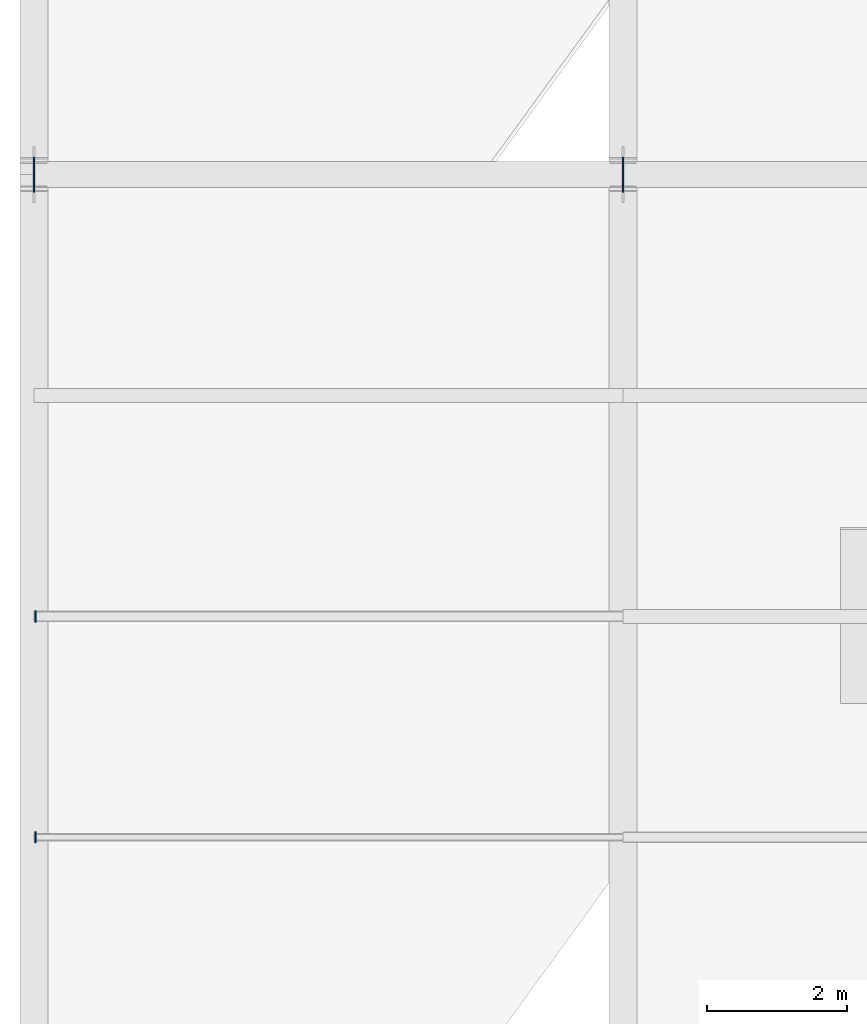
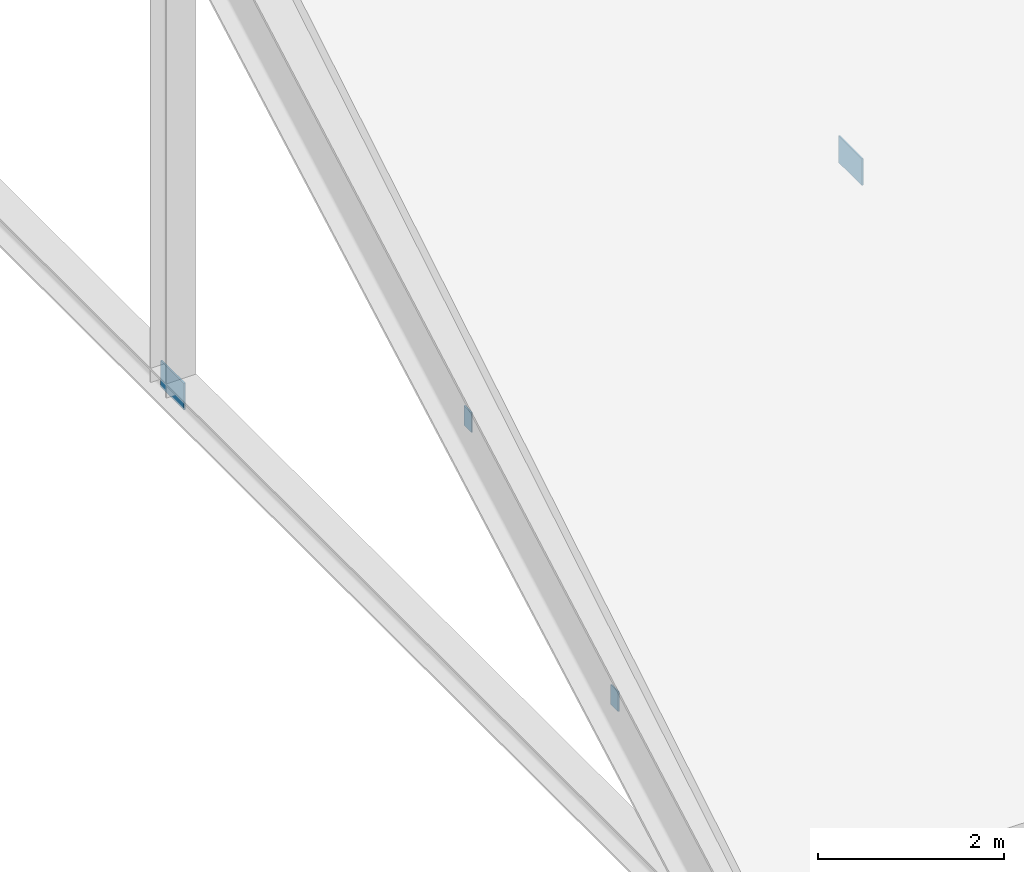
# One storey, part 7 of 13: 4 plates.
"""IFC4 building model written with IfcOpenShell, lengths in metres."""

from ifc_helpers import new_model, si_unit, direction, frame, origin, origin_2d, place, context, subcontext, project, spatial, rectangle, extrude, material, layer, layer_set, type_object, element, save


model = new_model("IFC4")

# Units and contexts
model_context = context("Model", 3, precision=1e-05, world=origin(), true_north=direction((0.0, 1.0)))
body_context = subcontext(model_context, "Body", "Model", "MODEL_VIEW")
ifc_project = project(units=[si_unit("LENGTHUNIT", "METRE"), si_unit("AREAUNIT", "SQUARE_METRE"), si_unit("VOLUMEUNIT", "CUBIC_METRE"), si_unit("PLANEANGLEUNIT", "RADIAN"), si_unit("MASSUNIT", "GRAM", prefix="KILO")], contexts=[model_context])

# Site, building, storey
site_placement = place(None, origin())
site = spatial("IfcSite", under=ifc_project, at=site_placement, CompositionType="ELEMENT")
building_placement = place(site_placement, origin())
building = spatial("IfcBuilding", under=site, at=building_placement, Name="Calvrana Isthmian Art Gallery", CompositionType="ELEMENT")
storey_placement = place(building_placement, frame((0.0, 0.0, 29.39990234375)))
storey = spatial("IfcBuildingStorey", under=building, at=storey_placement, Name="RF", CompositionType="ELEMENT", Elevation=29.39990234375)

# Plates
ifc_material = material(Name="Steel ASTM A572 Gr 50", Category="steel")
ifc_layer_1 = layer(ifc_material, 0.01611328125, Name="Steel ASTM A572 Gr 50")
ifc_layer_set_1 = layer_set([ifc_layer_1], Name="Steel ASTM A572 Gr 50")
plate_type_1 = type_object("IfcPlateType", Name="PL-CAP-16", PredefinedType="SHEET", material=ifc_layer_set_1)
for number, where, z_axis, x_axis, name in (
    (1, (21.6201171875, 24.75, 0.734375), (0.0, 0.0, 1.0), (1.0, 0.0, 0.0), "HSS purlin end cap S-1-1"),
    (2, (21.6201171875, 27.89990234375, 2.4794921875), (0.0, 0.0, 1.0), (1.0, 0.0, 0.0), "HSS purlin end cap S-1-2"),
):
    element("IfcPlate", number, at=place(storey_placement, frame(where, z_axis=z_axis, x_axis=x_axis)), inside=storey, type_object=plate_type_1, Name=name, PredefinedType="SHEET", context=body_context, shape_type="SweptSolid", body=[
        extrude(rectangle(XDim=0.01611328125, YDim=0.159912109375, at=origin_2d()), origin(), (0.0, 0.0, 1.0), 0.260009765625),
    ])
ifc_layer_2 = layer(ifc_material, 0.02001953125, Name="Steel ASTM A572 Gr 50")
ifc_layer_set_2 = layer_set([ifc_layer_2], Name="Steel ASTM A572 Gr 50")
plate_type_2 = type_object("IfcPlateType", Name="PL-SPLICE-20", PredefinedType="SHEET", material=ifc_layer_set_2)
for number, where, z_axis, x_axis, name in (
    (3, (21.60009765625, 34.199951171875, -0.935546875), (0.0, 0.0, 1.0), (1.0, 0.0, 0.0), "Folded plate tie splice plate 04"),
    (4, (30.0, 34.199951171875, -0.935546875), (0.0, 0.0, 1.0), (1.0, 0.0, 0.0), "Folded plate tie splice plate 05"),
):
    element("IfcPlate", number, at=place(storey_placement, frame(where, z_axis=z_axis, x_axis=x_axis)), inside=storey, type_object=plate_type_2, Name=name, PredefinedType="SHEET", context=body_context, shape_type="SweptSolid", body=[
        extrude(rectangle(XDim=0.02001953125, YDim=0.5, at=origin_2d()), origin(), (0.0, 0.0, 1.0), 0.35009765625),
    ])

save(model, "model.ifc")
